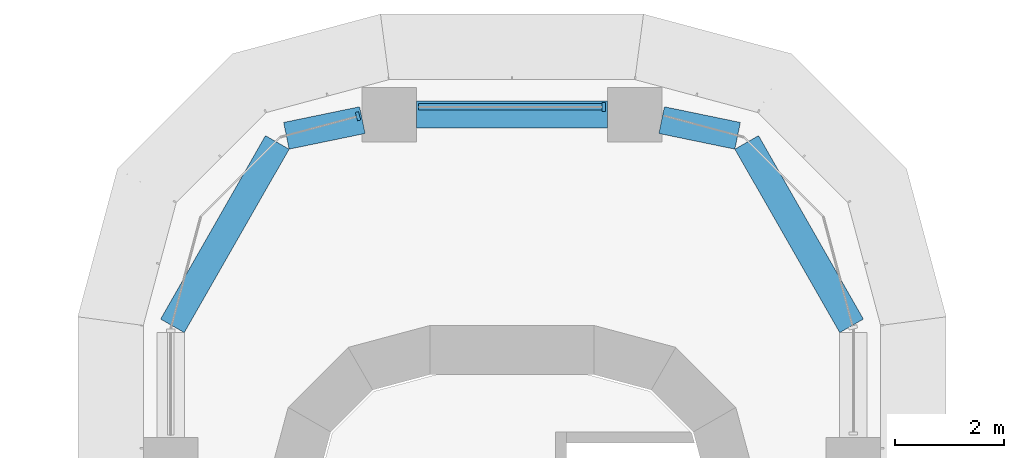
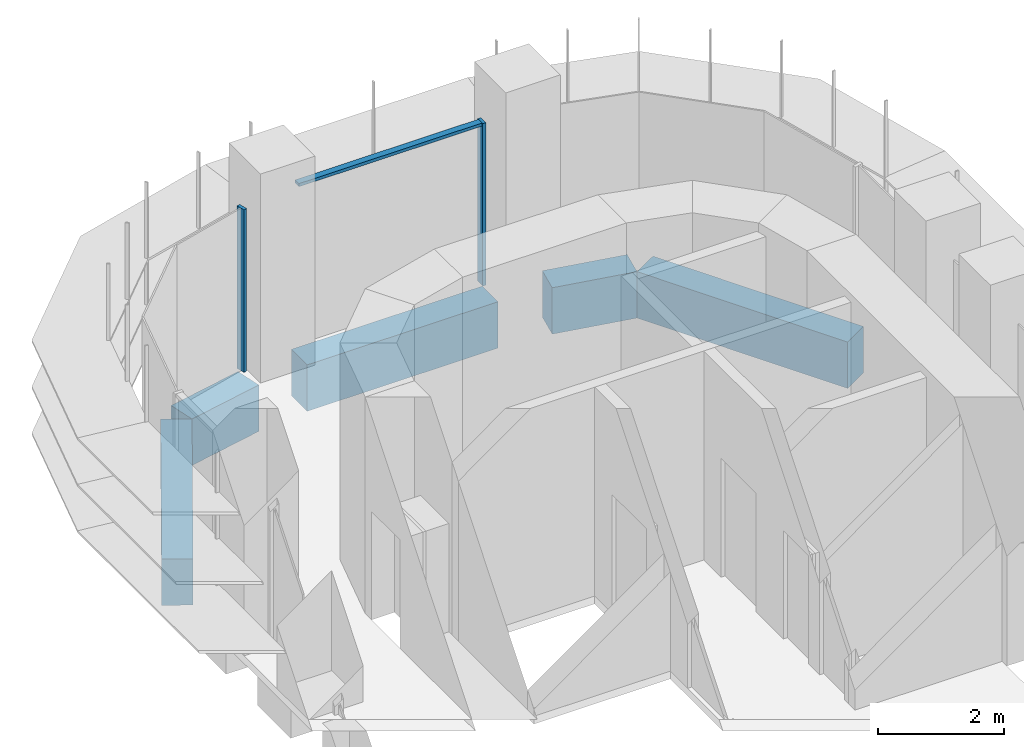
# One storey, part 12 of 23: 5 beams, 3 members, 2 elements without a shape of their own.
"""IFC4 building model written with IfcOpenShell, lengths in metres."""

import ifcopenshell
import ifcopenshell.guid

model = None  # the IFC model being written
_history = None  # IfcOwnerHistory: only IFC2X3 demands one
_inside = {}  # id of a spatial element -> (the spatial element, [elements in it])
_under = {}  # id of a project, library or spatial element -> (it, [spatial elements below it])
_declared = {}  # id of a project -> (the project, [libraries it declares])
_typed = {}  # id of a type object -> (the type object, [elements of that type])
_made_of = {}  # id of a material, layer set ... -> (it, [elements and type objects made of it])


def new_model(schema):
    """Start an empty IFC model of exactly this schema.

    Asked for "IFC4X3", IfcOpenShell would pick the latest addendum, in which some entities
    have other attributes; the version numbers below select the first issue.
    IFC2X3 requires an IfcOwnerHistory on every rooted entity: one is made here for all.
    """
    global model, _history
    if schema == "IFC4X3":
        model = ifcopenshell.file(schema_version=(4, 3, 0, 0))
    else:
        model = ifcopenshell.file(schema=schema)
    _inside.clear()
    _under.clear()
    _declared.clear()
    _typed.clear()
    _made_of.clear()
    _history = None
    if model.schema == "IFC2X3":
        org = make("IfcOrganization", Name="unknown")
        user = make(
            "IfcPersonAndOrganization",
            ThePerson=make("IfcPerson", FamilyName="unknown"),
            TheOrganization=org,
        )
        app = make(
            "IfcApplication",
            ApplicationDeveloper=org,
            Version="unknown",
            ApplicationFullName="unknown",
            ApplicationIdentifier="unknown",
        )
        _history = make(
            "IfcOwnerHistory",
            OwningUser=user,
            OwningApplication=app,
            ChangeAction="ADDED",
            CreationDate=0,
        )
    return model


def make(cls, **values):
    """One entity of the class cls with the attributes given. An attribute that is None is left unset."""
    return model.create_entity(
        cls, **{name: value for name, value in values.items() if value is not None}
    )


def rooted(cls, **values):
    """An entity with a GlobalId (a new one), such as an element, a storey or a relation."""
    return make(cls, GlobalId=ifcopenshell.guid.new(), OwnerHistory=_history, **values)


def si_unit(unit_type, name, prefix=None):
    """IfcSIUnit, for example si_unit("LENGTHUNIT", "METRE", prefix="MILLI")."""
    return make("IfcSIUnit", UnitType=unit_type, Prefix=prefix, Name=name)


def assignment(units):
    """IfcUnitAssignment: the units of a project."""
    return None if units is None else make("IfcUnitAssignment", Units=units)


def point(xyz):
    """IfcCartesianPoint."""
    return None if xyz is None else make("IfcCartesianPoint", Coordinates=xyz)


def direction(xyz):
    """IfcDirection."""
    return None if xyz is None else make("IfcDirection", DirectionRatios=xyz)


def frame(location, z_axis=None, x_axis=None):
    """IfcAxis2Placement3D, a coordinate frame: its origin and axes. An axis left out is left unset."""
    return make(
        "IfcAxis2Placement3D",
        Location=point(location),
        Axis=direction(z_axis),
        RefDirection=direction(x_axis),
    )


def frame_2d(location, x_axis=None):
    """IfcAxis2Placement2D, a coordinate frame in the plane: its origin and x axis."""
    return make(
        "IfcAxis2Placement2D", Location=point(location), RefDirection=direction(x_axis)
    )


def origin():
    """The frame at (0, 0, 0) with its axes left unset."""
    return frame((0.0, 0.0, 0.0))


def origin_2d():
    """The frame at (0, 0) in the plane with its x axis left unset."""
    return frame_2d((0.0, 0.0))


def place(relative_to, where):
    """IfcLocalPlacement: puts the frame where relative to a parent placement (None: the world)."""
    return make(
        "IfcLocalPlacement", PlacementRelTo=relative_to, RelativePlacement=where
    )


def context(
    kind, dimensions, precision=None, world=None, true_north=None, identifier=None
):
    """IfcGeometricRepresentationContext, for example the 3D "Model" context."""
    return make(
        "IfcGeometricRepresentationContext",
        ContextIdentifier=identifier,
        ContextType=kind,
        CoordinateSpaceDimension=dimensions,
        Precision=precision,
        WorldCoordinateSystem=world,
        TrueNorth=true_north,
    )


def subcontext(parent, identifier, kind, view, scale=None):
    """IfcGeometricRepresentationSubContext, for example "Body" below "Model"."""
    return make(
        "IfcGeometricRepresentationSubContext",
        ContextIdentifier=identifier,
        ContextType=kind,
        ParentContext=parent,
        TargetScale=scale,
        TargetView=view,
    )


def project(units=None, contexts=None):
    """IfcProject with its units and contexts."""
    return rooted(
        "IfcProject",
        Name="project",
        RepresentationContexts=contexts,
        UnitsInContext=assignment(units),
    )


def spatial(cls, under=None, at=None, **own):
    """A site, building, storey or space (cls), placed at a placement, below another one or the project."""
    s = rooted(cls, ObjectPlacement=at, **own)
    if under is not None:
        _under.setdefault(under.id(), (under, []))[1].append(s)
    return s


def polyline(points):
    """IfcPolyline through the points."""
    return make("IfcPolyline", Points=[point(p) for p in points])


def profile(cls, at=None, kind="AREA", **sizes):
    """A parametric profile (cls). Its sizes go by their IFC names, for example OverallWidth=200.0."""
    return make(cls, ProfileType=kind, Position=at, **sizes)


def rectangle(**sizes):
    """IfcRectangleProfileDef."""
    return profile("IfcRectangleProfileDef", **sizes)


def outline(outer, holes=None, kind="AREA"):
    """IfcArbitraryClosedProfileDef: a profile drawn as a closed curve; with holes, ...WithVoids."""
    if holes is None:
        return make("IfcArbitraryClosedProfileDef", ProfileType=kind, OuterCurve=outer)
    return make(
        "IfcArbitraryProfileDefWithVoids",
        ProfileType=kind,
        OuterCurve=outer,
        InnerCurves=holes,
    )


def extrude(swept, where, along, depth):
    """IfcExtrudedAreaSolid: the profile swept, set in the frame where, extruded along a direction by depth."""
    return make(
        "IfcExtrudedAreaSolid",
        SweptArea=swept,
        Position=where,
        ExtrudedDirection=direction(along),
        Depth=depth,
    )


def shape(context_of_items, identifier, shape_type, items):
    """IfcShapeRepresentation: the items that make up one representation, for example the "Body"."""
    return make(
        "IfcShapeRepresentation",
        ContextOfItems=context_of_items,
        RepresentationIdentifier=identifier,
        RepresentationType=shape_type,
        Items=items,
    )


def source(mapping_origin, context_of_items, identifier, shape_type, items):
    """IfcRepresentationMap: a shape defined once, which mapped items show again and again."""
    return make(
        "IfcRepresentationMap",
        MappingOrigin=mapping_origin,
        MappedRepresentation=shape(context_of_items, identifier, shape_type, items),
    )


def transform(
    local_origin,
    x_axis=None,
    y_axis=None,
    z_axis=None,
    scale=None,
    scale2=None,
    scale3=None,
    uniform=True,
):
    """IfcCartesianTransformationOperator3D, or its non-uniform kind. x_axis, y_axis, z_axis: its Axis1, 2, 3."""
    if uniform:
        return make(
            "IfcCartesianTransformationOperator3D",
            Axis1=direction(x_axis),
            Axis2=direction(y_axis),
            LocalOrigin=point(local_origin),
            Scale=scale,
            Axis3=direction(z_axis),
        )
    return make(
        "IfcCartesianTransformationOperator3DnonUniform",
        Axis1=direction(x_axis),
        Axis2=direction(y_axis),
        LocalOrigin=point(local_origin),
        Scale=scale,
        Axis3=direction(z_axis),
        Scale2=scale2,
        Scale3=scale3,
    )


def mapped(mapping_source, mapping_target):
    """IfcMappedItem: shows the shape of a source again, moved by a transform."""
    return make(
        "IfcMappedItem", MappingSource=mapping_source, MappingTarget=mapping_target
    )


def material(Name=None, Category=None):
    """IfcMaterial."""
    return make("IfcMaterial", Name=Name, Category=Category)


def material_profile(
    of_material, cross_section, Name=None, Category=None, Priority=None
):
    """IfcMaterialProfile: a cross section and its material."""
    return make(
        "IfcMaterialProfile",
        Name=Name,
        Material=of_material,
        Profile=cross_section,
        Priority=Priority,
        Category=Category,
    )


def profile_set(profiles, Name=None, composite=None):
    """IfcMaterialProfileSet."""
    return make(
        "IfcMaterialProfileSet",
        Name=Name,
        MaterialProfiles=profiles,
        CompositeProfile=composite,
    )


def made_of(thing, what):
    """Note that an element or type object is made of a material, layer set ...; save() writes the relation."""
    if what is not None:
        _made_of.setdefault(what.id(), (what, []))[1].append(thing)
    return thing


def type_object(cls, material=None, **own):
    """A type object (cls), such as IfcWallType, which elements share."""
    return made_of(rooted(cls, **own), material)


def element(
    cls,
    number,
    at=None,
    inside=None,
    cuts=None,
    type_object=None,
    material=None,
    context=None,
    identifier="Body",
    shape_type=None,
    held_by="IfcProductDefinitionShape",
    body=None,
    shapes=None,
    **own,
):
    """One element of the class cls, such as IfcWall. Its Tag is "e" and its number.

    at: its placement. inside: the storey or other place that contains it. cuts: it is an
    opening in that element (IfcRelVoidsElement). A single representation is given by context,
    identifier, shape_type and body (its items); several are given by shapes. held_by: the class
    of the entity that holds the representations. save() writes the other relations.
    """
    e = rooted(cls, Tag="e%d" % number, ObjectPlacement=at, **own)
    if body is not None:
        shapes = [shape(context, identifier, shape_type, body)]
    if shapes is not None:
        e.Representation = make(held_by, Representations=shapes)
    if inside is not None:
        _inside.setdefault(inside.id(), (inside, []))[1].append(e)
    if cuts is not None:
        rooted(
            "IfcRelVoidsElement", RelatingBuildingElement=cuts, RelatedOpeningElement=e
        )
    if type_object is not None:
        _typed.setdefault(type_object.id(), (type_object, []))[1].append(e)
    return made_of(e, material)


def aggregate(whole, parts):
    """IfcRelAggregates: a whole, such as a stair, and the parts it consists of."""
    return rooted("IfcRelAggregates", RelatingObject=whole, RelatedObjects=parts)


def save(model, path):
    """Write the relations noted so far, then the file.

    IfcRelAggregates (storeys below a building ...), IfcRelContainedInSpatialStructure (elements
    in a storey), IfcRelDefinesByType, IfcRelAssociatesMaterial and IfcRelDeclares: one each for
    every whole, place, type object, material and project.
    """
    for whole, parts in _under.values():
        aggregate(whole, parts)
    for where, things in _inside.values():
        rooted(
            "IfcRelContainedInSpatialStructure",
            RelatedElements=things,
            RelatingStructure=where,
        )
    for kind, things in _typed.values():
        rooted("IfcRelDefinesByType", RelatedObjects=things, RelatingType=kind)
    for what, things in _made_of.values():
        rooted("IfcRelAssociatesMaterial", RelatedObjects=things, RelatingMaterial=what)
    for by, libraries in _declared.values():
        rooted("IfcRelDeclares", RelatingContext=by, RelatedDefinitions=libraries)
    model.write(path)


model = new_model("IFC4")

# Units and contexts
model_context = context("Model", 3, precision=1e-05, world=origin(), true_north=direction((0.0, 1.0)))
body_context = subcontext(model_context, "Body", "Model", "MODEL_VIEW")
ifc_project = project(units=[si_unit("LENGTHUNIT", "METRE"), si_unit("AREAUNIT", "SQUARE_METRE"), si_unit("VOLUMEUNIT", "CUBIC_METRE"), si_unit("PLANEANGLEUNIT", "RADIAN"), si_unit("MASSUNIT", "GRAM", prefix="KILO")], contexts=[model_context])

# Site, building, storey
site_placement = place(None, origin())
site = spatial("IfcSite", under=ifc_project, at=site_placement, CompositionType="ELEMENT")
building_placement = place(site_placement, origin())
building = spatial("IfcBuilding", under=site, at=building_placement, Name="Zarbagh Exchange Tower", CompositionType="ELEMENT")
storey_placement = place(building_placement, frame((0.0, 0.0, 69.0)))
storey = spatial("IfcBuildingStorey", under=building, at=storey_placement, Name="L15", CompositionType="ELEMENT", Elevation=69.0)

# Beams
ifc_material_1 = material(Name="Concrete C60/75", Category="concrete")
ifc_material_profile = material_profile(ifc_material_1, rectangle(XDim=0.5, YDim=0.89990234375, at=origin_2d()), Name="RC spandrel beam 500 x 900 C60/75")
ifc_profile_set = profile_set([ifc_material_profile], Name="Concrete C60/75")
beam_type = type_object("IfcBeamType", Name="RC spandrel beam 500 x 900 C60/75", PredefinedType="SPANDREL", material=ifc_profile_set)
beam_1_placement = place(storey_placement, frame((-6.217041015625, 29.24169921875, -0.60009765625), z_axis=(0.496220481126, 0.868196541177, 0.0), x_axis=(-0.868196541177, 0.496220481126, 0.0)))
element("IfcBeam", 1, at=beam_1_placement, inside=storey, type_object=beam_type, Name="RC spandrel beam", PredefinedType="SPANDREL", context=body_context, shape_type="SweptSolid", body=[
    extrude(rectangle(XDim=0.5, YDim=0.89990234375, at=origin_2d()), origin(), (0.0, 0.0, 1.0), 3.869140625),
])
beam_2_placement = place(storey_placement, frame((-4.130615234375, 32.7216796875, -0.60009765625), z_axis=(0.979352054934, 0.202162193541, 0.0), x_axis=(-0.202162193541, 0.979352054934, 0.0)))
element("IfcBeam", 2, at=beam_2_placement, inside=storey, type_object=beam_type, Name="RC spandrel beam", PredefinedType="SPANDREL", context=body_context, shape_type="SweptSolid", body=[
    extrude(rectangle(XDim=0.5, YDim=0.89990234375, at=origin_2d()), origin(), (0.0, 0.0, 1.0), 1.420166015625),
])
beam_3_placement = place(storey_placement, frame((-1.75, 33.110107421875, -0.60009765625), z_axis=(1.0, 0.0, 0.0), x_axis=(0.0, 1.0, 0.0)))
element("IfcBeam", 3, at=beam_3_placement, inside=storey, type_object=beam_type, Name="RC spandrel beam", PredefinedType="SPANDREL", context=body_context, shape_type="SweptSolid", body=[
    extrude(rectangle(XDim=0.5, YDim=0.89990234375, at=origin_2d()), origin(), (0.0, 0.0, 1.0), 3.5),
])
beam_4_placement = place(storey_placement, frame((2.73974609375, 33.0087890625, -0.60009765625), z_axis=(0.979352054934, -0.202162193541, 0.0), x_axis=(0.202162193541, 0.979352054934, 0.0)))
element("IfcBeam", 4, at=beam_4_placement, inside=storey, type_object=beam_type, Name="RC spandrel beam", PredefinedType="SPANDREL", context=body_context, shape_type="SweptSolid", body=[
    extrude(rectangle(XDim=0.5, YDim=0.89990234375, at=origin_2d()), origin(), (0.0, 0.0, 1.0), 1.420166015625),
])
beam_5_placement = place(storey_placement, frame((4.297119140625, 32.600830078125, -0.60009765625), z_axis=(0.496220481126, -0.868196541177, 0.0), x_axis=(0.868196541177, 0.496220481126, 0.0)))
element("IfcBeam", 5, at=beam_5_placement, inside=storey, type_object=beam_type, Name="RC spandrel beam", PredefinedType="SPANDREL", context=body_context, shape_type="SweptSolid", body=[
    extrude(rectangle(XDim=0.5, YDim=0.89990234375, at=origin_2d()), origin(), (0.0, 0.0, 1.0), 3.869140625),
])

# Curtain wall, member
ifc_material_2 = material(Name="Anodised aluminium frame and glazing", Category="aluminium")
curtain_wall_type = type_object("IfcCurtainWallType", Name="CWA Ribbon glazing, lower zones", PredefinedType="NOTDEFINED", material=ifc_material_2)
curtain_wall_1_placement = place(storey_placement, origin())
curtain_wall_1 = element("IfcCurtainWall", 6, at=curtain_wall_1_placement, inside=storey, type_object=curtain_wall_type, Name="CWA24 curtain wall", PredefinedType="NOTDEFINED")
ifc_material_3 = material(Name="Anodised aluminium frame", Category="aluminium")
member_type_1 = type_object("IfcMemberType", Name="MUA Mullion, anodised aluminium frame", PredefinedType="MULLION", material=ifc_material_3)
shared_shape_1 = source(origin(), body_context, "Body", "SweptSolid", [
    extrude(outline(polyline([(0.0, -0.080078125), (0.06005859375, -0.080078125), (0.06005859375, 0.080078125), (0.0, 0.080078125), (0.0, -0.080078125)])), origin(), (0.0, 0.0, 1.0), 3.14990234375),
])
placement = place(storey_placement, origin())
member_1 = element("IfcMember", 7, at=placement, type_object=member_type_1, Name="CWA24 mullion 1.1", PredefinedType="MULLION", context=body_context, shape_type="MappedRepresentation", body=[
    mapped(shared_shape_1, transform((1.7099609375, 33.25, 0.0), x_axis=(-1.0, 0.0, 0.0), y_axis=(0.0, -1.0, 0.0), z_axis=(0.0, 0.0, 1.0))),
])

curtain_wall_2_placement = place(storey_placement, origin())
curtain_wall_2 = element("IfcCurtainWall", 8, at=curtain_wall_2_placement, inside=storey, type_object=curtain_wall_type, Name="CWA25 curtain wall", PredefinedType="NOTDEFINED")
member_2 = element("IfcMember", 9, at=placement, type_object=member_type_1, Name="CWA25 mullion 1.1", PredefinedType="MULLION", context=body_context, shape_type="MappedRepresentation", body=[
    mapped(shared_shape_1, transform((-2.7900390625, 33.087646484375, 0.0), x_axis=(-0.965924289636, -0.258824779902, 0.0), y_axis=(0.258824779902, -0.965924289636, 0.0), z_axis=(0.0, 0.0, 1.0))),
])
aggregate(curtain_wall_2, [member_2])

# Member
member_type_2 = type_object("IfcMemberType", Name="TRA Transom, anodised aluminium frame", PredefinedType="USERDEFINED", material=ifc_material_3)
shared_shape_2 = source(origin(), body_context, "Body", "SweptSolid", [
    extrude(outline(polyline([(-0.06005859375, -0.06005859375), (0.0, -0.06005859375), (0.0, 0.06005859375), (-0.06005859375, 0.06005859375), (-0.06005859375, -0.06005859375)])), origin(), (0.0, 0.0, 1.0), 3.360107421875),
])
member_3 = element("IfcMember", 10, at=placement, type_object=member_type_2, Name="CWA24 transom 1.1", ObjectType="TRANSOM", PredefinedType="USERDEFINED", context=body_context, shape_type="MappedRepresentation", body=[
    mapped(shared_shape_2, transform((1.64990234375, 33.25, 3.14990234375), x_axis=(0.0, 0.0, 1.0), y_axis=(0.0, 1.0, 0.0), z_axis=(-1.0, 0.0, 0.0))),
])

aggregate(curtain_wall_1, [member_1, member_3])

save(model, "model.ifc")
